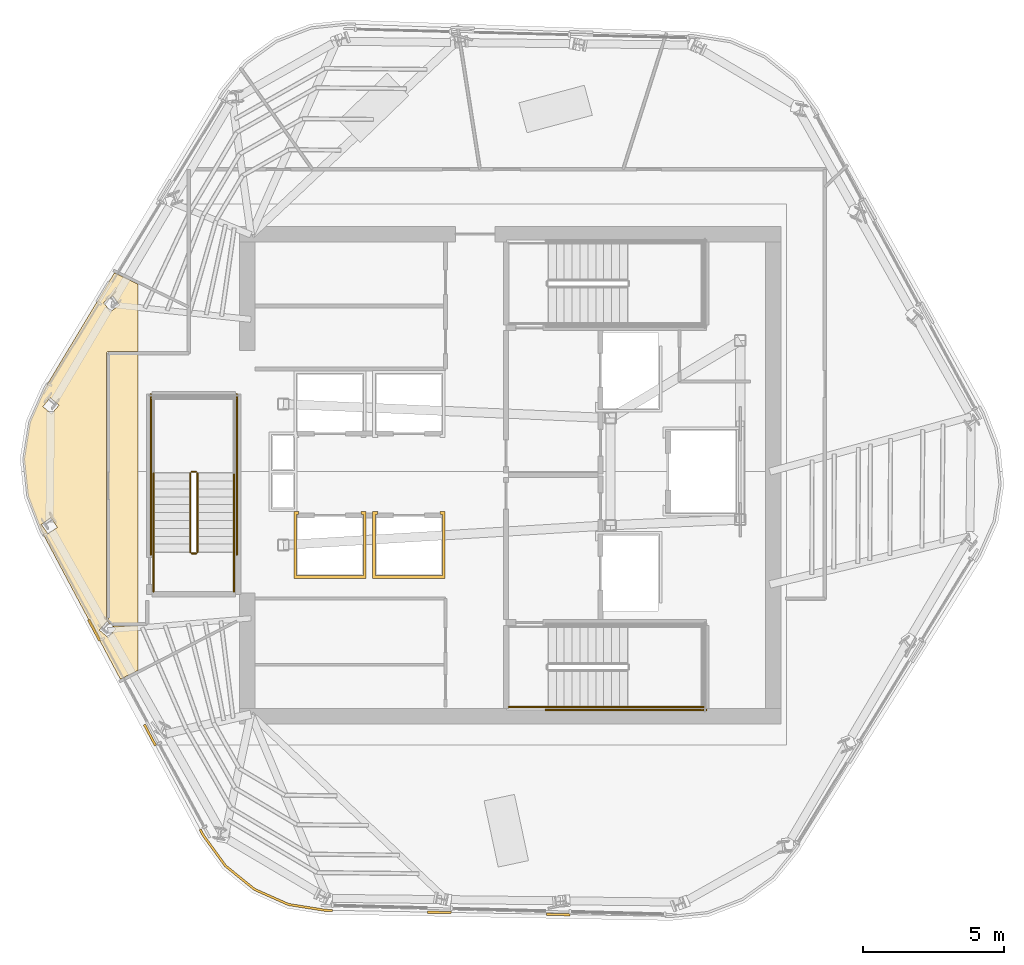
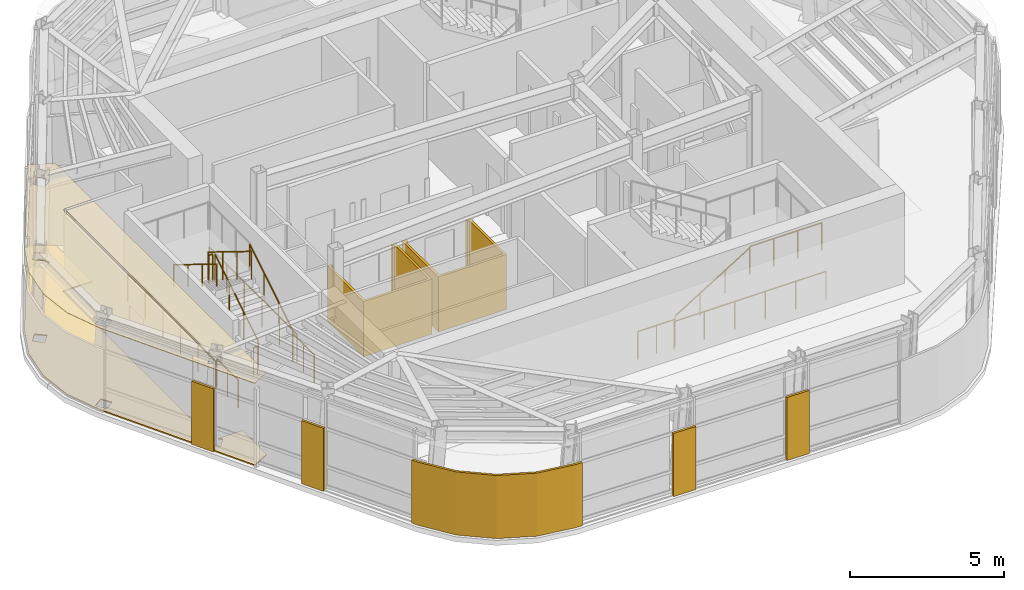
# One storey, part 9 of 13: 14 railings, 10 coverings.
"""IFC4 building model written with IfcOpenShell, lengths in metres."""

from ifc_helpers import new_model, si_unit, direction, frame, origin, origin_2d, place, context, subcontext, project, spatial, polyline, circle, outline, extrude, material, layer, layer_set, type_object, element, save


model = new_model("IFC4")

# Units and contexts
model_context = context("Model", 3, precision=1e-05, world=origin(), true_north=direction((0.0, 1.0)))
body_context = subcontext(model_context, "Body", "Model", "MODEL_VIEW")
ifc_project = project(units=[si_unit("LENGTHUNIT", "METRE"), si_unit("AREAUNIT", "SQUARE_METRE"), si_unit("VOLUMEUNIT", "CUBIC_METRE"), si_unit("PLANEANGLEUNIT", "RADIAN"), si_unit("MASSUNIT", "GRAM", prefix="KILO")], contexts=[model_context])

# Site, building, storey
site_placement = place(None, origin())
site = spatial("IfcSite", under=ifc_project, at=site_placement, CompositionType="ELEMENT")
building_placement = place(site_placement, origin())
building = spatial("IfcBuilding", under=site, at=building_placement, Name="Valkerne Bourse Tower", CompositionType="ELEMENT")
storey_placement = place(building_placement, frame((0.0, 0.0, 277.39990234375)))
storey = spatial("IfcBuildingStorey", under=building, at=storey_placement, Name="L70", CompositionType="ELEMENT", Elevation=277.39990234375)

# Coverings
ifc_material_1 = material(Name="Mineral Fiber Acoustic Ceiling Tile", Category="acoustic")
ifc_layer_1 = layer(ifc_material_1, 0.02490234375)
ifc_layer_set_1 = layer_set([ifc_layer_1], Name="Mineral Fiber Acoustic Ceiling Tile")
covering_type_1 = type_object("IfcCoveringType", Name="COV-CEIL-ACT", PredefinedType="CEILING", material=ifc_layer_set_1)
covering_1_placement = place(storey_placement, frame((0.0, 0.0, 3.25)))
element("IfcCovering", 1, at=covering_1_placement, inside=storey, type_object=covering_type_1, Name="L70 Suspended Ceiling 07", PredefinedType="CEILING", context=body_context, shape_type="SweptSolid", body=[
    extrude(outline(polyline([(29.5556640625, 27.45166015625), (29.76220703125, 28.7548828125), (30.302978515625, 29.969482421875), (32.759765625, 34.05419921875), (33.60009765625, 33.6455078125), (33.60009765625, 31.26904296875), (32.54931640625, 31.26904296875), (32.50830078125, 31.25537109375), (32.483154296875, 31.217529296875), (32.481689453125, 21.7744140625), (32.5, 21.737548828125), (32.537841796875, 21.71826171875), (32.60693359375, 21.592529296875), (32.48876953125, 21.693115234375), (32.224609375, 21.384033203125), (32.2255859375, 21.3818359375), (32.53662109375, 21.1171875), (32.80078125, 21.42626953125), (32.7998046875, 21.428466796875), (32.678466796875, 21.53173828125), (33.60009765625, 21.53125), (33.60009765625, 19.963134765625), (32.969482421875, 19.638671875), (30.170166015625, 24.89794921875), (29.693603515625, 26.13916015625), (29.5556640625, 27.45166015625)]), holes=[polyline([(30.73681640625, 25.02880859375), (30.5029296875, 25.364013671875), (30.169189453125, 25.131591796875), (30.16943359375, 25.12939453125), (30.4033203125, 24.79443359375), (30.737060546875, 25.026611328125), (30.73681640625, 25.02880859375)]), polyline([(30.79443359375, 29.361572265625), (30.482666015625, 29.622314453125), (30.219970703125, 29.3095703125), (30.219482421875, 29.30712890625), (30.53125, 29.04638671875), (30.794189453125, 29.359130859375), (30.79443359375, 29.361572265625)]), polyline([(32.944091796875, 32.908447265625), (32.70849609375, 33.239990234375), (32.375, 33.00390625), (32.3740234375, 33.001708984375), (32.609619140625, 32.67041015625), (32.943115234375, 32.906494140625), (32.944091796875, 32.908447265625)])]), origin(), (0.0, 0.0, 1.0), 0.025146484375),
])
ifc_material_2 = material(Name="Bronze Anodised Aluminium AA 6063-T6", Category="aluminium")
ifc_layer_2 = layer(ifc_material_2, 0.030029296875)
ifc_layer_set_2 = layer_set([ifc_layer_2], Name="Bronze Anodised Aluminium AA 6063-T6")
covering_type_2 = type_object("IfcCoveringType", Name="COV-CEIL-METAL", PredefinedType="CEILING", material=ifc_layer_set_2)
covering_2_placement = place(storey_placement, frame((0.0, 0.0, 3.25)))
element("IfcCovering", 2, at=covering_2_placement, inside=storey, type_object=covering_type_2, Name="L70 Suspended Ceiling 02", PredefinedType="CEILING", context=body_context, shape_type="SweptSolid", body=[
    extrude(outline(polyline([(32.593505859375, 21.60400390625), (32.553955078125, 21.6376953125), (32.553955078125, 31.196044921875), (33.60009765625, 31.196044921875), (33.60009765625, 21.60400390625), (32.593505859375, 21.60400390625)])), origin(), (0.0, 0.0, 1.0), 0.025146484375),
])
ifc_layer_3 = layer(ifc_material_2, 0.06005859375)
ifc_layer_set_3 = layer_set([ifc_layer_3], Name="Bronze Anodised Aluminium AA 6063-T6")
covering_type_3 = type_object("IfcCoveringType", Name="COV-CRN-ALUM", PredefinedType="CLADDING", material=ifc_layer_set_3)
covering_3_placement = place(storey_placement, origin())
element("IfcCovering", 3, at=covering_3_placement, inside=storey, type_object=covering_type_3, Name="L70 Wind-Shaped Corner Aluminium Cladding 05", PredefinedType="CLADDING", context=body_context, shape_type="SweptSolid", body=[
    extrude(outline(polyline([(48.074462890625, 11.26318359375), (48.076416015625, 11.34326171875), (48.91650390625, 11.328125), (48.914306640625, 11.248046875), (48.074462890625, 11.26318359375)])), origin(), (0.0, 0.0, 1.0), 2.5),
])
covering_4_placement = place(storey_placement, origin())
element("IfcCovering", 4, at=covering_4_placement, inside=storey, type_object=covering_type_3, Name="L70 Wind-Shaped Corner Aluminium Cladding 06", PredefinedType="CLADDING", context=body_context, shape_type="SweptSolid", body=[
    extrude(outline(polyline([(43.863037109375, 11.3388671875), (43.864990234375, 11.418701171875), (44.705078125, 11.40380859375), (44.702880859375, 11.32373046875), (43.863037109375, 11.3388671875)])), origin(), (0.0, 0.0, 1.0), 2.5),
])
covering_5_placement = place(storey_placement, origin())
element("IfcCovering", 5, at=covering_5_placement, inside=storey, type_object=covering_type_3, Name="L70 Wind-Shaped Corner Aluminium Cladding 07", PredefinedType="CLADDING", context=body_context, shape_type="SweptSolid", body=[
    extrude(outline(polyline([(40.239501953125, 11.40380859375), (38.918701171875, 11.61279296875), (37.70263671875, 12.154296875), (36.668212890625, 12.991943359375), (35.882080078125, 14.073974609375), (35.763671875, 14.29638671875), (35.833984375, 14.334716796875), (35.949951171875, 14.116455078125), (36.7265625, 13.047607421875), (37.744873046875, 12.22314453125), (38.941650390625, 11.690185546875), (40.24658203125, 11.483642578125), (40.49365234375, 11.479248046875), (40.491455078125, 11.399169921875), (40.239501953125, 11.40380859375)])), origin(), (0.0, 0.0, 1.0), 2.5),
])
covering_6_placement = place(storey_placement, origin())
element("IfcCovering", 6, at=covering_6_placement, inside=storey, type_object=covering_type_3, Name="L70 Wind-Shaped Corner Aluminium Cladding 08", PredefinedType="CLADDING", context=body_context, shape_type="SweptSolid", body=[
    extrude(outline(polyline([(33.7841796875, 18.0146484375), (33.8544921875, 18.052734375), (34.249267578125, 17.311279296875), (34.178955078125, 17.273193359375), (33.7841796875, 18.0146484375)])), origin(), (0.0, 0.0, 1.0), 2.5),
])
covering_7_placement = place(storey_placement, origin())
element("IfcCovering", 7, at=covering_7_placement, inside=storey, type_object=covering_type_3, Name="L70 Wind-Shaped Corner Aluminium Cladding 09", PredefinedType="CLADDING", context=body_context, shape_type="SweptSolid", body=[
    extrude(outline(polyline([(31.80517578125, 21.73291015625), (31.87548828125, 21.77099609375), (32.27001953125, 21.029296875), (32.19970703125, 20.9912109375), (31.80517578125, 21.73291015625)])), origin(), (0.0, 0.0, 1.0), 2.5),
])
ifc_material_3 = material(Name="Galvanised Painted Steel", Category="steel")
ifc_layer_4 = layer(ifc_material_3, 0.044921875)
ifc_layer_set_4 = layer_set([ifc_layer_4], Name="Galvanised Painted Steel")
covering_type_4 = type_object("IfcCoveringType", Name="COV-FLR-RAF", PredefinedType="FLOORING", material=ifc_layer_set_4)
covering_8_placement = place(storey_placement, origin())
element("IfcCovering", 8, at=covering_8_placement, inside=storey, type_object=covering_type_4, Name="L70 Floor Finish 07", PredefinedType="FLOORING", context=body_context, shape_type="SweptSolid", body=[
    extrude(outline(polyline([(29.5556640625, 27.45166015625), (29.76220703125, 28.7548828125), (30.302978515625, 29.969482421875), (32.759765625, 34.05419921875), (33.60009765625, 33.6455078125), (33.60009765625, 31.26904296875), (32.54931640625, 31.26904296875), (32.50830078125, 31.25537109375), (32.483154296875, 31.217529296875), (32.481689453125, 21.7744140625), (32.5, 21.737548828125), (32.537841796875, 21.71826171875), (32.60693359375, 21.592529296875), (32.48876953125, 21.693115234375), (32.224609375, 21.384033203125), (32.2255859375, 21.3818359375), (32.53662109375, 21.1171875), (32.80078125, 21.42626953125), (32.7998046875, 21.428466796875), (32.678466796875, 21.53173828125), (33.60009765625, 21.53125), (33.60009765625, 19.963134765625), (32.969482421875, 19.638671875), (30.170166015625, 24.89794921875), (29.693603515625, 26.13916015625), (29.5556640625, 27.45166015625)]), holes=[polyline([(30.73681640625, 25.02880859375), (30.5029296875, 25.364013671875), (30.169189453125, 25.131591796875), (30.16943359375, 25.12939453125), (30.4033203125, 24.79443359375), (30.737060546875, 25.026611328125), (30.73681640625, 25.02880859375)]), polyline([(30.79443359375, 29.361572265625), (30.482666015625, 29.622314453125), (30.219970703125, 29.3095703125), (30.219482421875, 29.30712890625), (30.53125, 29.04638671875), (30.794189453125, 29.359130859375), (30.79443359375, 29.361572265625)]), polyline([(32.944091796875, 32.908447265625), (32.70849609375, 33.239990234375), (32.375, 33.00390625), (32.3740234375, 33.001708984375), (32.609619140625, 32.67041015625), (32.943115234375, 32.906494140625), (32.944091796875, 32.908447265625)])]), origin(), (0.0, 0.0, 1.0), 0.045166015625),
])
ifc_material_4 = material(Name="Gypsum Shaftwall Liner Board", Category="gypsum")
ifc_layer_5 = layer(ifc_material_4, 0.080078125)
ifc_layer_set_5 = layer_set([ifc_layer_5], Name="Gypsum Shaftwall Liner Board")
covering_type_5 = type_object("IfcCoveringType", Name="COV-SHF-CLAD", PredefinedType="CLADDING", material=ifc_layer_set_5)
covering_9_placement = place(storey_placement, origin())
element("IfcCovering", 9, at=covering_9_placement, inside=storey, type_object=covering_type_5, Name="L70 Hoistway & Riser Shaftwall Liner 02", PredefinedType="CLADDING", context=body_context, shape_type="SweptSolid", body=[
    extrude(outline(polyline([(39.29931640625, 25.580078125), (39.28857421875, 25.537841796875), (39.2822265625, 25.494140625), (39.281982421875, 25.489990234375), (39.2099609375, 25.489990234375), (39.2099609375, 23.31005859375), (41.590087890625, 23.31005859375), (41.590087890625, 25.489990234375), (41.51806640625, 25.489990234375), (41.517822265625, 25.494140625), (41.511474609375, 25.537841796875), (41.500732421875, 25.580078125), (41.679931640625, 25.580078125), (41.679931640625, 23.219970703125), (39.1201171875, 23.219970703125), (39.1201171875, 25.580078125), (39.29931640625, 25.580078125)])), origin(), (0.0, 0.0, 1.0), 2.18017578125),
])
covering_10_placement = place(storey_placement, origin())
element("IfcCovering", 10, at=covering_10_placement, inside=storey, type_object=covering_type_5, Name="L70 Hoistway & Riser Shaftwall Liner 03", PredefinedType="CLADDING", context=body_context, shape_type="SweptSolid", body=[
    extrude(outline(polyline([(42.09912109375, 25.580078125), (42.088623046875, 25.537841796875), (42.082275390625, 25.494140625), (42.08203125, 25.489990234375), (42.010009765625, 25.489990234375), (42.010009765625, 23.31005859375), (44.389892578125, 23.31005859375), (44.389892578125, 25.489990234375), (44.318115234375, 25.489990234375), (44.31787109375, 25.494140625), (44.311279296875, 25.537841796875), (44.30078125, 25.580078125), (44.47998046875, 25.580078125), (44.47998046875, 23.219970703125), (41.919921875, 23.219970703125), (41.919921875, 25.580078125), (42.09912109375, 25.580078125)])), origin(), (0.0, 0.0, 1.0), 2.18017578125),
])

# Railings
railing_type_1 = type_object("IfcRailingType", Name="RLG-ST-GUARD-1120", PredefinedType="GUARDRAIL", material=ifc_material_3)
railing_1_placement = place(storey_placement, frame((50.949951171875, 18.64990234375, 1.900146484375)))
element("IfcRailing", 11, at=railing_1_placement, inside=storey, type_object=railing_type_1, Name="L70 ST-1 stair guard 3", PredefinedType="GUARDRAIL", context=body_context, shape_type="SweptSolid", body=[
    extrude(circle(Radius=0.02392578125, at=origin_2d()), frame((0.0, 0.0, 1.09619140625), z_axis=(1.0, 0.0, 0.0), x_axis=(0.0, 1.0, 0.0)), (0.0, 0.0, 1.0), 2.699951171875),
    extrude(circle(Radius=0.02099609375, at=origin_2d()), origin(), (0.0, 0.0, 1.0), 1.072021484375),
    extrude(circle(Radius=0.02099609375, at=origin_2d()), frame((0.89990234375, 0.0, 0.0)), (0.0, 0.0, 1.0), 1.072021484375),
    extrude(circle(Radius=0.02099609375, at=origin_2d()), frame((1.800048828125, 0.0, 0.0)), (0.0, 0.0, 1.0), 1.072021484375),
    extrude(circle(Radius=0.02099609375, at=origin_2d()), frame((2.699951171875, 0.0, 0.0)), (0.0, 0.0, 1.0), 1.072021484375),
])
railing_2_placement = place(storey_placement, frame((46.75, 18.64990234375, 0.0)))
element("IfcRailing", 12, at=railing_2_placement, inside=storey, type_object=railing_type_1, Name="L70 ST-1 stair guard 8", PredefinedType="GUARDRAIL", context=body_context, shape_type="SweptSolid", body=[
    extrude(circle(Radius=0.02392578125, at=origin_2d()), frame((0.0, 0.0, 1.09619140625), z_axis=(1.0, 0.0, 0.0), x_axis=(0.0, 1.0, 0.0)), (0.0, 0.0, 1.0), 1.39990234375),
    extrude(circle(Radius=0.02099609375, at=origin_2d()), origin(), (0.0, 0.0, 1.0), 1.072021484375),
    extrude(circle(Radius=0.02099609375, at=origin_2d()), frame((0.699951171875, 0.0, 0.0)), (0.0, 0.0, 1.0), 1.072021484375),
    extrude(circle(Radius=0.02099609375, at=origin_2d()), frame((1.39990234375, 0.0, 0.0)), (0.0, 0.0, 1.0), 1.072021484375),
])
railing_3_placement = place(storey_placement, frame((48.050048828125, 18.550048828125, 0.0)))
element("IfcRailing", 13, at=railing_3_placement, inside=storey, type_object=railing_type_1, Name="L70 ST-1 stair guard 10", PredefinedType="GUARDRAIL", context=body_context, shape_type="SweptSolid", body=[
    extrude(circle(Radius=0.02392578125, at=origin_2d()), frame((0.0, 0.0, 1.09619140625), z_axis=(1.0, 0.0, 0.0), x_axis=(0.0, 1.0, 0.0)), (0.0, 0.0, 1.0), 5.699951171875),
    extrude(circle(Radius=0.02099609375, at=origin_2d()), origin(), (0.0, 0.0, 1.0), 1.072021484375),
    extrude(circle(Radius=0.02099609375, at=origin_2d()), frame((1.139892578125, 0.0, 0.0)), (0.0, 0.0, 1.0), 1.072021484375),
    extrude(circle(Radius=0.02099609375, at=origin_2d()), frame((2.280029296875, 0.0, 0.0)), (0.0, 0.0, 1.0), 1.072021484375),
    extrude(circle(Radius=0.02099609375, at=origin_2d()), frame((3.419921875, 0.0, 0.0)), (0.0, 0.0, 1.0), 1.072021484375),
    extrude(circle(Radius=0.02099609375, at=origin_2d()), frame((4.56005859375, 0.0, 0.0)), (0.0, 0.0, 1.0), 1.072021484375),
    extrude(circle(Radius=0.02099609375, at=origin_2d()), frame((5.699951171875, 0.0, 0.0)), (0.0, 0.0, 1.0), 1.072021484375),
])
railing_4_placement = place(storey_placement, frame((35.699951171875, 24.14990234375, 0.1728515625)))
element("IfcRailing", 14, at=railing_4_placement, inside=storey, type_object=railing_type_1, Name="L70 ST-3 stair guard 1", PredefinedType="GUARDRAIL", context=body_context, shape_type="SweptSolid", body=[
    extrude(circle(Radius=0.02392578125, at=origin_2d()), frame((0.0, 0.0, 1.09619140625), z_axis=(0.0, 0.851089632645, 0.525020415988), x_axis=(-1.0, 0.0, 0.0)), (0.0, 0.0, 1.0), 3.2900390625),
    extrude(circle(Radius=0.02099609375, at=origin_2d()), origin(), (0.0, 0.0, 1.0), 1.072021484375),
    extrude(circle(Radius=0.02099609375, at=origin_2d()), frame((0.0, 0.933349609375, 0.57568359375)), (0.0, 0.0, 1.0), 1.072021484375),
    extrude(circle(Radius=0.02099609375, at=origin_2d()), frame((0.0, 1.86669921875, 1.151611328125)), (0.0, 0.0, 1.0), 1.072021484375),
    extrude(circle(Radius=0.02099609375, at=origin_2d()), frame((0.0, 2.800048828125, 1.727294921875)), (0.0, 0.0, 1.0), 1.072021484375),
])
railing_5_placement = place(storey_placement, frame((35.64990234375, 27.0, 1.900146484375)))
element("IfcRailing", 15, at=railing_5_placement, inside=storey, type_object=railing_type_1, Name="L70 ST-3 stair guard 2", PredefinedType="GUARDRAIL", context=body_context, shape_type="SweptSolid", body=[
    extrude(circle(Radius=0.02392578125, at=origin_2d()), frame((0.0, 0.0, 1.09619140625), z_axis=(-1.0, 0.0, 0.0), x_axis=(0.0, -1.0, 0.0)), (0.0, 0.0, 1.0), 0.14990234375),
    extrude(circle(Radius=0.02099609375, at=origin_2d()), origin(), (0.0, 0.0, 1.0), 1.072021484375),
    extrude(circle(Radius=0.02099609375, at=origin_2d()), frame((-0.14990234375, 0.0, 0.0)), (0.0, 0.0, 1.0), 1.072021484375),
])
railing_6_placement = place(storey_placement, frame((35.449951171875, 26.949951171875, 2.07275390625)))
element("IfcRailing", 16, at=railing_6_placement, inside=storey, type_object=railing_type_1, Name="L70 ST-3 stair guard 6", PredefinedType="GUARDRAIL", context=body_context, shape_type="SweptSolid", body=[
    extrude(circle(Radius=0.02392578125, at=origin_2d()), frame((0.0, 0.0, 1.09619140625), z_axis=(0.0, -0.851089632645, 0.525020415988), x_axis=(1.0, 0.0, 0.0)), (0.0, 0.0, 1.0), 3.2900390625),
    extrude(circle(Radius=0.02099609375, at=origin_2d()), origin(), (0.0, 0.0, 1.0), 1.072021484375),
    extrude(circle(Radius=0.02099609375, at=origin_2d()), frame((0.0, -0.933349609375, 0.57568359375)), (0.0, 0.0, 1.0), 1.072021484375),
    extrude(circle(Radius=0.02099609375, at=origin_2d()), frame((0.0, -1.86669921875, 1.151611328125)), (0.0, 0.0, 1.0), 1.072021484375),
    extrude(circle(Radius=0.02099609375, at=origin_2d()), frame((0.0, -2.800048828125, 1.727294921875)), (0.0, 0.0, 1.0), 1.072021484375),
])
railing_7_placement = place(storey_placement, frame((35.64990234375, 24.10009765625, 0.0)))
element("IfcRailing", 17, at=railing_7_placement, inside=storey, type_object=railing_type_1, Name="L70 ST-3 stair guard 7", PredefinedType="GUARDRAIL", context=body_context, shape_type="SweptSolid", body=[
    extrude(circle(Radius=0.02392578125, at=origin_2d()), frame((0.0, 0.0, 1.09619140625), z_axis=(-1.0, 0.0, 0.0), x_axis=(0.0, -1.0, 0.0)), (0.0, 0.0, 1.0), 0.14990234375),
    extrude(circle(Radius=0.02099609375, at=origin_2d()), origin(), (0.0, 0.0, 1.0), 1.072021484375),
    extrude(circle(Radius=0.02099609375, at=origin_2d()), frame((-0.14990234375, 0.0, 0.0)), (0.0, 0.0, 1.0), 1.072021484375),
])
for number, where, name in (
    (18, (37.0, 22.75, 0.0), "L70 ST-3 stair guard 8"),
    (19, (34.14990234375, 22.75, 0.0), "L70 ST-3 stair guard 9"),
):
    element("IfcRailing", number, at=place(storey_placement, frame(where)), inside=storey, type_object=railing_type_1, Name=name, PredefinedType="GUARDRAIL", context=body_context, shape_type="SweptSolid", body=[
        extrude(circle(Radius=0.02392578125, at=origin_2d()), frame((0.0, 0.0, 1.09619140625), z_axis=(0.0, 1.0, 0.0), x_axis=(-1.0, 0.0, 0.0)), (0.0, 0.0, 1.0), 1.39990234375),
        extrude(circle(Radius=0.02099609375, at=origin_2d()), origin(), (0.0, 0.0, 1.0), 1.072021484375),
        extrude(circle(Radius=0.02099609375, at=origin_2d()), frame((0.0, 0.699951171875, 0.0)), (0.0, 0.0, 1.0), 1.072021484375),
        extrude(circle(Radius=0.02099609375, at=origin_2d()), frame((0.0, 1.39990234375, 0.0)), (0.0, 0.0, 1.0), 1.072021484375),
    ])
for number, where, name in (
    (20, (37.10009765625, 24.050048828125, 0.0), "L70 ST-3 stair guard 10"),
    (21, (34.050048828125, 24.050048828125, 0.0), "L70 ST-3 stair guard 11"),
):
    element("IfcRailing", number, at=place(storey_placement, frame(where)), inside=storey, type_object=railing_type_1, Name=name, PredefinedType="GUARDRAIL", context=body_context, shape_type="SweptSolid", body=[
        extrude(circle(Radius=0.02392578125, at=origin_2d()), frame((0.0, 0.0, 1.09619140625), z_axis=(0.0, 1.0, 0.0), x_axis=(-1.0, 0.0, 0.0)), (0.0, 0.0, 1.0), 5.699951171875),
        extrude(circle(Radius=0.02099609375, at=origin_2d()), origin(), (0.0, 0.0, 1.0), 1.072021484375),
        extrude(circle(Radius=0.02099609375, at=origin_2d()), frame((0.0, 1.139892578125, 0.0)), (0.0, 0.0, 1.0), 1.072021484375),
        extrude(circle(Radius=0.02099609375, at=origin_2d()), frame((0.0, 2.280029296875, 0.0)), (0.0, 0.0, 1.0), 1.072021484375),
        extrude(circle(Radius=0.02099609375, at=origin_2d()), frame((0.0, 3.419921875, 0.0)), (0.0, 0.0, 1.0), 1.072021484375),
        extrude(circle(Radius=0.02099609375, at=origin_2d()), frame((0.0, 4.56005859375, 0.0)), (0.0, 0.0, 1.0), 1.072021484375),
        extrude(circle(Radius=0.02099609375, at=origin_2d()), frame((0.0, 5.699951171875, 0.0)), (0.0, 0.0, 1.0), 1.072021484375),
    ])
ifc_material_5 = material(Name="Stainless Steel AISI 316", Category="steel")
railing_type_2 = type_object("IfcRailingType", Name="RLG-ST-HANDRAIL-900", PredefinedType="HANDRAIL", material=ifc_material_5)
railing_8_placement = place(storey_placement, frame((48.14990234375, 18.64990234375, 0.345458984375)))
element("IfcRailing", 22, at=railing_8_placement, inside=storey, type_object=railing_type_2, Name="L70 ST-1 stair handrail 1", PredefinedType="HANDRAIL", context=body_context, shape_type="SweptSolid", body=[
    extrude(circle(Radius=0.02392578125, at=origin_2d()), frame((0.0, 0.0, 0.8759765625), z_axis=(0.851089632645, 0.0, 0.525020415988), x_axis=(0.0, 1.0, 0.0)), (0.0, 0.0, 1.0), 3.2900390625),
    extrude(circle(Radius=0.02099609375, at=origin_2d()), origin(), (0.0, 0.0, 1.0), 0.851806640625),
    extrude(circle(Radius=0.02099609375, at=origin_2d()), frame((0.933349609375, 0.0, 0.57568359375)), (0.0, 0.0, 1.0), 0.851806640625),
    extrude(circle(Radius=0.02099609375, at=origin_2d()), frame((1.86669921875, 0.0, 1.151611328125)), (0.0, 0.0, 1.0), 0.851806640625),
    extrude(circle(Radius=0.02099609375, at=origin_2d()), frame((2.800048828125, 0.0, 1.727294921875)), (0.0, 0.0, 1.0), 0.851806640625),
])
railing_9_placement = place(storey_placement, frame((37.0, 24.14990234375, 0.345458984375)))
element("IfcRailing", 23, at=railing_9_placement, inside=storey, type_object=railing_type_2, Name="L70 ST-3 stair handrail 1", PredefinedType="HANDRAIL", context=body_context, shape_type="SweptSolid", body=[
    extrude(circle(Radius=0.02392578125, at=origin_2d()), frame((0.0, 0.0, 0.8759765625), z_axis=(0.0, 0.851089632645, 0.525020415988), x_axis=(-1.0, 0.0, 0.0)), (0.0, 0.0, 1.0), 3.2900390625),
    extrude(circle(Radius=0.02099609375, at=origin_2d()), origin(), (0.0, 0.0, 1.0), 0.851806640625),
    extrude(circle(Radius=0.02099609375, at=origin_2d()), frame((0.0, 0.933349609375, 0.57568359375)), (0.0, 0.0, 1.0), 0.851806640625),
    extrude(circle(Radius=0.02099609375, at=origin_2d()), frame((0.0, 1.86669921875, 1.151611328125)), (0.0, 0.0, 1.0), 0.851806640625),
    extrude(circle(Radius=0.02099609375, at=origin_2d()), frame((0.0, 2.800048828125, 1.727294921875)), (0.0, 0.0, 1.0), 0.851806640625),
])
railing_10_placement = place(storey_placement, frame((34.14990234375, 26.949951171875, 2.24560546875)))
element("IfcRailing", 24, at=railing_10_placement, inside=storey, type_object=railing_type_2, Name="L70 ST-3 stair handrail 2", PredefinedType="HANDRAIL", context=body_context, shape_type="SweptSolid", body=[
    extrude(circle(Radius=0.02392578125, at=origin_2d()), frame((0.0, 0.0, 0.8759765625), z_axis=(0.0, -0.851089632645, 0.525020415988), x_axis=(1.0, 0.0, 0.0)), (0.0, 0.0, 1.0), 3.2900390625),
    extrude(circle(Radius=0.02099609375, at=origin_2d()), origin(), (0.0, 0.0, 1.0), 0.851806640625),
    extrude(circle(Radius=0.02099609375, at=origin_2d()), frame((0.0, -0.933349609375, 0.57568359375)), (0.0, 0.0, 1.0), 0.851806640625),
    extrude(circle(Radius=0.02099609375, at=origin_2d()), frame((0.0, -1.86669921875, 1.151611328125)), (0.0, 0.0, 1.0), 0.851806640625),
    extrude(circle(Radius=0.02099609375, at=origin_2d()), frame((0.0, -2.800048828125, 1.727294921875)), (0.0, 0.0, 1.0), 0.851806640625),
])

save(model, "model.ifc")
